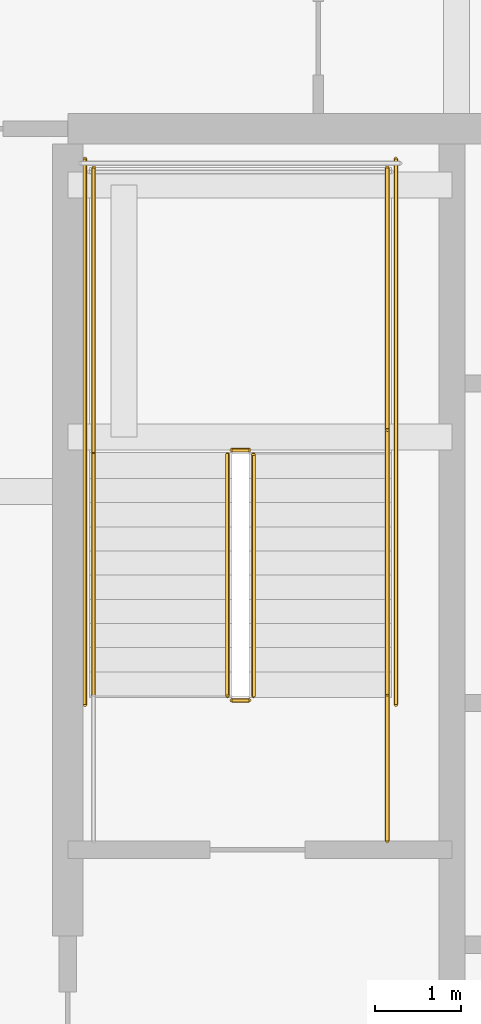
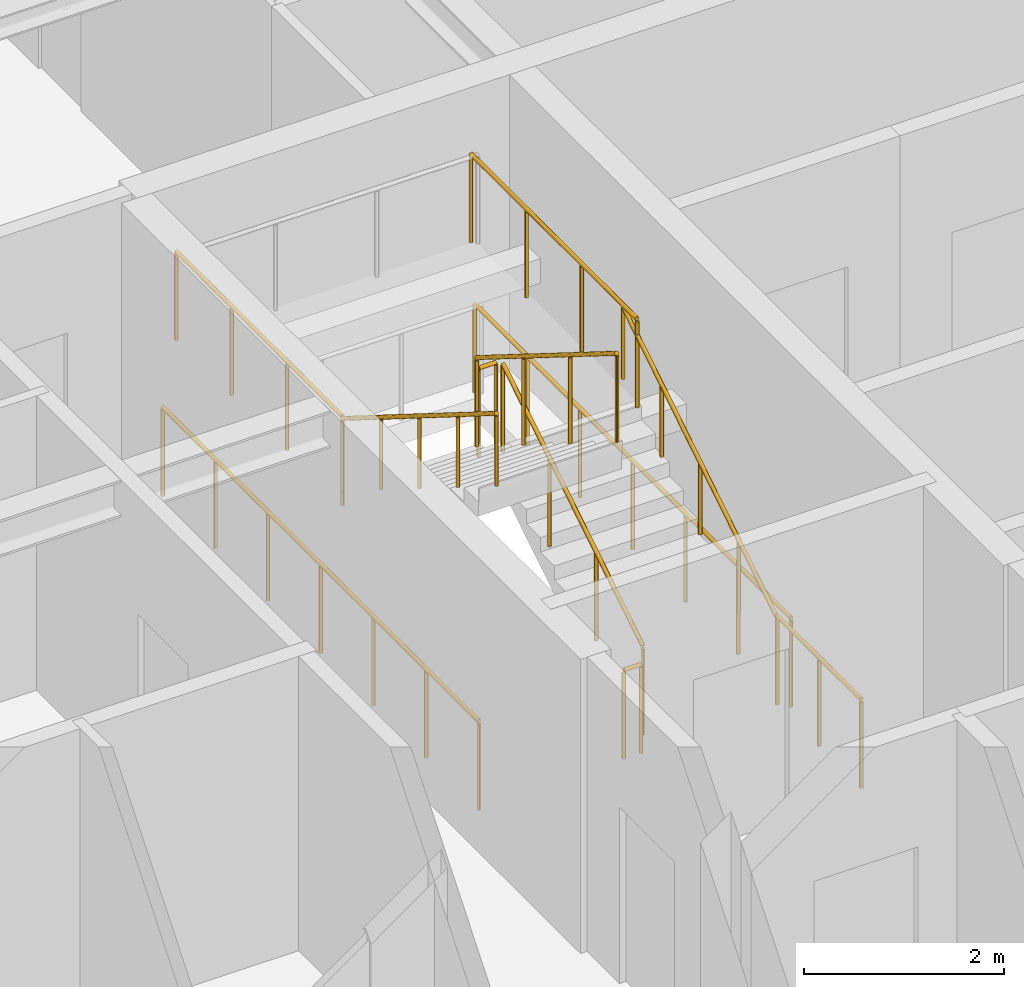
# One storey, part 34 of 37: 11 railings.
"""IFC4 building model written with IfcOpenShell, lengths in metres."""

from ifc_helpers import new_model, si_unit, direction, frame, origin, origin_2d, place, context, subcontext, project, spatial, circle, extrude, material, type_object, element, save


model = new_model("IFC4")

# Units and contexts
model_context = context("Model", 3, precision=1e-05, world=origin(), true_north=direction((0.0, 1.0)))
body_context = subcontext(model_context, "Body", "Model", "MODEL_VIEW")
ifc_project = project(units=[si_unit("LENGTHUNIT", "METRE"), si_unit("AREAUNIT", "SQUARE_METRE"), si_unit("VOLUMEUNIT", "CUBIC_METRE"), si_unit("PLANEANGLEUNIT", "RADIAN"), si_unit("MASSUNIT", "GRAM", prefix="KILO")], contexts=[model_context])

# Site, building, storey
site_placement = place(None, origin())
site = spatial("IfcSite", under=ifc_project, at=site_placement, CompositionType="ELEMENT")
building_placement = place(site_placement, origin())
building = spatial("IfcBuilding", under=site, at=building_placement, Name="Serunith Strait Residences", CompositionType="ELEMENT")
storey_placement = place(building_placement, frame((0.0, 0.0, 233.550048828125)))
storey = spatial("IfcBuildingStorey", under=building, at=storey_placement, Name="L58", CompositionType="ELEMENT", Elevation=233.550048828125)

# Railings
ifc_material = material(Name="Brushed stainless steel 316L", Category="steel")
railing_type_1 = type_object("IfcRailingType", Name="RLG-STAIR-GUARD", PredefinedType="BALUSTRADE", material=ifc_material)
railing_1_placement = place(storey_placement, frame((25.550048828125, 27.030029296875, 0.175048828125)))
element("IfcRailing", 1, at=railing_1_placement, inside=storey, type_object=railing_type_1, Name="L58 ST-1 stair guard 1", PredefinedType="BALUSTRADE", context=body_context, shape_type="SweptSolid", body=[
    extrude(circle(Radius=0.02392578125, at=origin_2d()), frame((0.0, 0.001708984375, 1.0771484375), z_axis=(0.0, 0.848002457836, 0.529992293815), x_axis=(-1.0, 0.0, 0.0)), (0.0, 0.0, 1.0), 3.2978515625),
    extrude(circle(Radius=0.02099609375, at=origin_2d()), origin(), (0.0, 0.0, 1.0), 1.050048828125),
    extrude(circle(Radius=0.02099609375, at=origin_2d()), frame((0.0, 0.933349609375, 0.583251953125)), (0.0, 0.0, 1.0), 1.050048828125),
    extrude(circle(Radius=0.02099609375, at=origin_2d()), frame((0.0, 1.86669921875, 1.166748046875)), (0.0, 0.0, 1.0), 1.050048828125),
    extrude(circle(Radius=0.02099609375, at=origin_2d()), frame((0.0, 2.800048828125, 1.75)), (0.0, 0.0, 1.0), 1.050048828125),
])
railing_2_placement = place(storey_placement, frame((25.5, 29.8798828125, 1.925048828125)))
element("IfcRailing", 2, at=railing_2_placement, inside=storey, type_object=railing_type_1, Name="L58 ST-1 stair guard 2", PredefinedType="BALUSTRADE", context=body_context, shape_type="SweptSolid", body=[
    extrude(circle(Radius=0.02392578125, at=origin_2d()), frame((-0.001953125, 0.0, 1.076171875), z_axis=(-1.0, 0.0, 0.0), x_axis=(0.0, -1.0, 0.0)), (0.0, 0.0, 1.0), 0.196044921875),
    extrude(circle(Radius=0.02099609375, at=origin_2d()), origin(), (0.0, 0.0, 1.0), 1.050048828125),
    extrude(circle(Radius=0.02099609375, at=origin_2d()), frame((-0.199951171875, 0.0, 0.0)), (0.0, 0.0, 1.0), 1.050048828125),
])
for number, where, name in (
    (3, (27.10009765625, 29.830078125, 1.925048828125), "L58 ST-1 stair guard 3"),
    (4, (23.699951171875, 29.830078125, 1.925048828125), "L58 ST-1 stair guard 4"),
):
    element("IfcRailing", number, at=place(storey_placement, frame(where)), inside=storey, type_object=railing_type_1, Name=name, PredefinedType="BALUSTRADE", context=body_context, shape_type="SweptSolid", body=[
        extrude(circle(Radius=0.02392578125, at=origin_2d()), frame((0.0, 0.001953125, 1.076171875), z_axis=(0.0, 1.0, 0.0), x_axis=(-1.0, 0.0, 0.0)), (0.0, 0.0, 1.0), 3.31591796875),
        extrude(circle(Radius=0.02099609375, at=origin_2d()), origin(), (0.0, 0.0, 1.0), 1.050048828125),
        extrude(circle(Radius=0.02099609375, at=origin_2d()), frame((0.0, 1.106689453125, 0.0)), (0.0, 0.0, 1.0), 1.050048828125),
        extrude(circle(Radius=0.02099609375, at=origin_2d()), frame((0.0, 2.213134765625, 0.0)), (0.0, 0.0, 1.0), 1.050048828125),
        extrude(circle(Radius=0.02099609375, at=origin_2d()), frame((0.0, 3.31982421875, 0.0)), (0.0, 0.0, 1.0), 1.050048828125),
    ])
railing_3_placement = place(storey_placement, frame((25.25, 29.830078125, 2.099853515625)))
element("IfcRailing", 5, at=railing_3_placement, inside=storey, type_object=railing_type_1, Name="L58 ST-1 stair guard 6", PredefinedType="BALUSTRADE", context=body_context, shape_type="SweptSolid", body=[
    extrude(circle(Radius=0.02392578125, at=origin_2d()), frame((0.0, -0.001708984375, 1.0771484375), z_axis=(0.0, -0.848002457836, 0.529992293815), x_axis=(1.0, 0.0, 0.0)), (0.0, 0.0, 1.0), 3.2978515625),
    extrude(circle(Radius=0.02099609375, at=origin_2d()), origin(), (0.0, 0.0, 1.0), 1.050048828125),
    extrude(circle(Radius=0.02099609375, at=origin_2d()), frame((0.0, -0.933349609375, 0.583251953125)), (0.0, 0.0, 1.0), 1.050048828125),
    extrude(circle(Radius=0.02099609375, at=origin_2d()), frame((0.0, -1.86669921875, 1.166748046875)), (0.0, 0.0, 1.0), 1.050048828125),
    extrude(circle(Radius=0.02099609375, at=origin_2d()), frame((0.0, -2.800048828125, 1.75)), (0.0, 0.0, 1.0), 1.050048828125),
])
railing_4_placement = place(storey_placement, frame((25.5, 26.97998046875, 0.0)))
element("IfcRailing", 6, at=railing_4_placement, inside=storey, type_object=railing_type_1, Name="L58 ST-1 stair guard 7", PredefinedType="BALUSTRADE", context=body_context, shape_type="SweptSolid", body=[
    extrude(circle(Radius=0.02392578125, at=origin_2d()), frame((-0.001953125, 0.0, 1.076171875), z_axis=(-1.0, 0.0, 0.0), x_axis=(0.0, -1.0, 0.0)), (0.0, 0.0, 1.0), 0.196044921875),
    extrude(circle(Radius=0.02099609375, at=origin_2d()), origin(), (0.0, 0.0, 1.0), 1.050048828125),
    extrude(circle(Radius=0.02099609375, at=origin_2d()), frame((-0.199951171875, 0.0, 0.0)), (0.0, 0.0, 1.0), 1.050048828125),
])
railing_5_placement = place(storey_placement, frame((27.10009765625, 25.35009765625, 0.0)))
element("IfcRailing", 7, at=railing_5_placement, inside=storey, type_object=railing_type_1, Name="L58 ST-1 stair guard 8", PredefinedType="BALUSTRADE", context=body_context, shape_type="SweptSolid", body=[
    extrude(circle(Radius=0.02392578125, at=origin_2d()), frame((0.0, 0.001953125, 1.076171875), z_axis=(0.0, 1.0, 0.0), x_axis=(-1.0, 0.0, 0.0)), (0.0, 0.0, 1.0), 1.676025390625),
    extrude(circle(Radius=0.02099609375, at=origin_2d()), origin(), (0.0, 0.0, 1.0), 1.050048828125),
    extrude(circle(Radius=0.02099609375, at=origin_2d()), frame((0.0, 0.83984375, 0.0)), (0.0, 0.0, 1.0), 1.050048828125),
    extrude(circle(Radius=0.02099609375, at=origin_2d()), frame((0.0, 1.679931640625, 0.0)), (0.0, 0.0, 1.0), 1.050048828125),
])
for number, where, name in (
    (8, (27.199951171875, 26.929931640625, 0.0), "L58 ST-1 stair guard 10"),
    (9, (23.60009765625, 26.929931640625, 0.0), "L58 ST-1 stair guard 11"),
):
    element("IfcRailing", number, at=place(storey_placement, frame(where)), inside=storey, type_object=railing_type_1, Name=name, PredefinedType="BALUSTRADE", context=body_context, shape_type="SweptSolid", body=[
        extrude(circle(Radius=0.02392578125, at=origin_2d()), frame((0.0, 0.001953125, 1.076171875), z_axis=(0.0, 1.0, 0.0), x_axis=(-1.0, 0.0, 0.0)), (0.0, 0.0, 1.0), 6.316162109375),
        extrude(circle(Radius=0.02099609375, at=origin_2d()), origin(), (0.0, 0.0, 1.0), 1.050048828125),
        extrude(circle(Radius=0.02099609375, at=origin_2d()), frame((0.0, 1.05322265625, 0.0)), (0.0, 0.0, 1.0), 1.050048828125),
        extrude(circle(Radius=0.02099609375, at=origin_2d()), frame((0.0, 2.106689453125, 0.0)), (0.0, 0.0, 1.0), 1.050048828125),
        extrude(circle(Radius=0.02099609375, at=origin_2d()), frame((0.0, 3.16015625, 0.0)), (0.0, 0.0, 1.0), 1.050048828125),
        extrude(circle(Radius=0.02099609375, at=origin_2d()), frame((0.0, 4.21337890625, 0.0)), (0.0, 0.0, 1.0), 1.050048828125),
        extrude(circle(Radius=0.02099609375, at=origin_2d()), frame((0.0, 5.2666015625, 0.0)), (0.0, 0.0, 1.0), 1.050048828125),
        extrude(circle(Radius=0.02099609375, at=origin_2d()), frame((0.0, 6.320068359375, 0.0)), (0.0, 0.0, 1.0), 1.050048828125),
    ])
railing_type_2 = type_object("IfcRailingType", Name="RLG-STAIR-HR", PredefinedType="HANDRAIL", material=ifc_material)
railing_6_placement = place(storey_placement, frame((27.10009765625, 27.030029296875, 0.175048828125)))
element("IfcRailing", 10, at=railing_6_placement, inside=storey, type_object=railing_type_2, Name="L58 ST-1 stair handrail 1", PredefinedType="HANDRAIL", context=body_context, shape_type="SweptSolid", body=[
    extrude(circle(Radius=0.02392578125, at=origin_2d()), frame((0.0, 0.001708984375, 0.876953125), z_axis=(0.0, 0.847393994688, 0.530964610654), x_axis=(-1.0, 0.0, 0.0)), (0.0, 0.0, 1.0), 3.630859375),
    extrude(circle(Radius=0.02099609375, at=origin_2d()), origin(), (0.0, 0.0, 1.0), 0.849853515625),
    extrude(circle(Radius=0.02099609375, at=origin_2d()), frame((0.0, 0.77001953125, 0.482421875)), (0.0, 0.0, 1.0), 0.849853515625),
    extrude(circle(Radius=0.02099609375, at=origin_2d()), frame((0.0, 1.5400390625, 0.96484375)), (0.0, 0.0, 1.0), 0.849853515625),
    extrude(circle(Radius=0.02099609375, at=origin_2d()), frame((0.0, 2.31005859375, 1.447509765625)), (0.0, 0.0, 1.0), 0.849853515625),
    extrude(circle(Radius=0.02099609375, at=origin_2d()), frame((0.0, 3.080078125, 1.929931640625)), (0.0, 0.0, 1.0), 0.849853515625),
])
railing_7_placement = place(storey_placement, frame((23.699951171875, 29.830078125, 2.099853515625)))
element("IfcRailing", 11, at=railing_7_placement, inside=storey, type_object=railing_type_2, Name="L58 ST-1 stair handrail 2", PredefinedType="HANDRAIL", context=body_context, shape_type="SweptSolid", body=[
    extrude(circle(Radius=0.02392578125, at=origin_2d()), frame((0.0, -0.001708984375, 0.876953125), z_axis=(0.0, -0.847363772988, 0.531012839984), x_axis=(1.0, 0.0, 0.0)), (0.0, 0.0, 1.0), 3.630859375),
    extrude(circle(Radius=0.02099609375, at=origin_2d()), origin(), (0.0, 0.0, 1.0), 0.849853515625),
    extrude(circle(Radius=0.02099609375, at=origin_2d()), frame((0.0, -0.77001953125, 0.482421875)), (0.0, 0.0, 1.0), 0.849853515625),
    extrude(circle(Radius=0.02099609375, at=origin_2d()), frame((0.0, -1.5400390625, 0.965087890625)), (0.0, 0.0, 1.0), 0.849853515625),
    extrude(circle(Radius=0.02099609375, at=origin_2d()), frame((0.0, -2.31005859375, 1.44775390625)), (0.0, 0.0, 1.0), 0.849853515625),
    extrude(circle(Radius=0.02099609375, at=origin_2d()), frame((0.0, -3.080078125, 1.93017578125)), (0.0, 0.0, 1.0), 0.849853515625),
])

save(model, "model.ifc")
